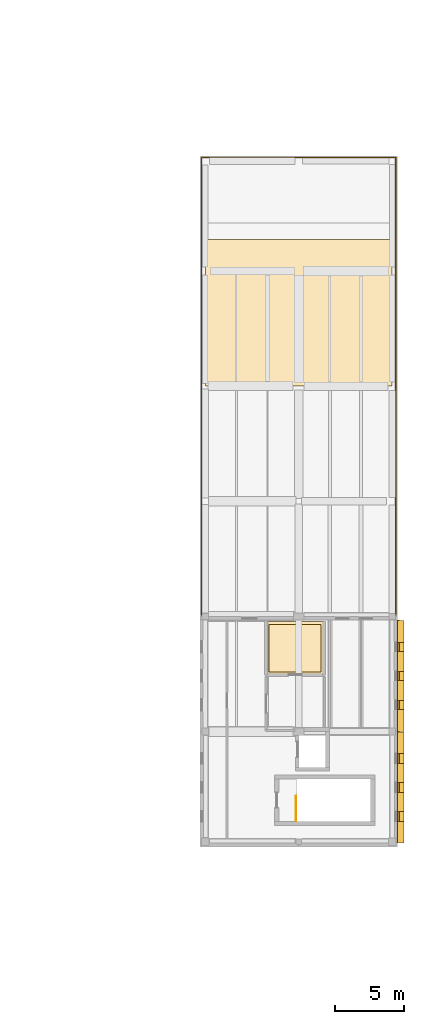
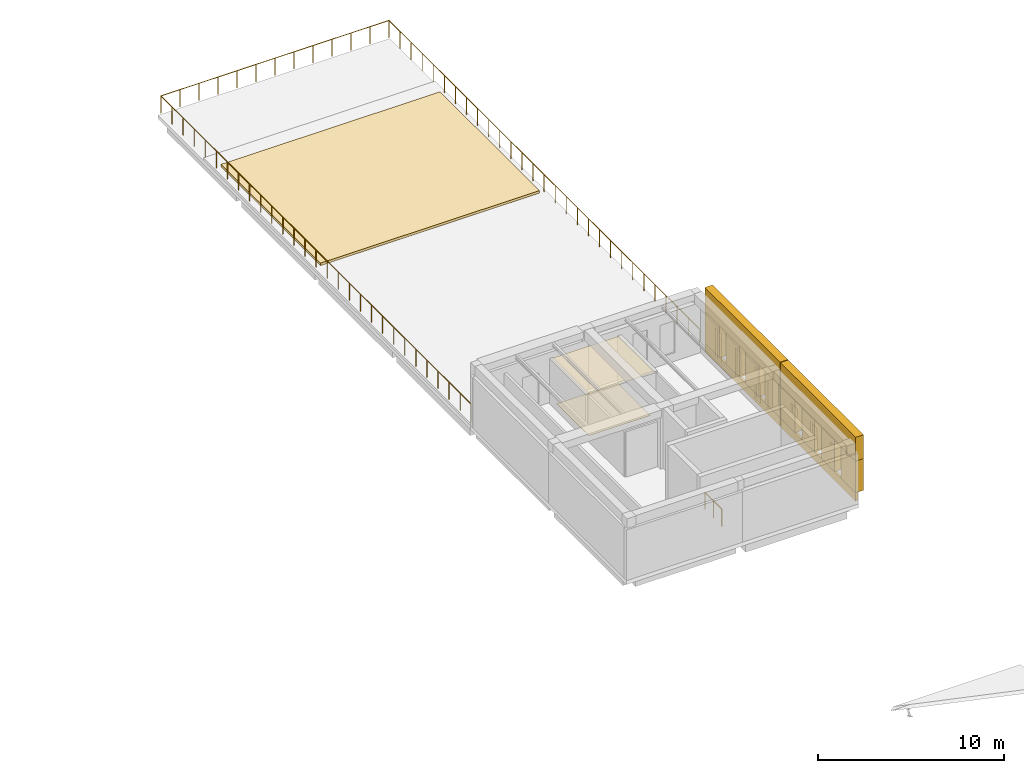
# One storey, part 34 of 34: 15 coverings, 2 railings.
"""IFC4 building model written with IfcOpenShell, lengths in metres."""

from ifc_helpers import new_model, si_unit, direction, frame, origin, origin_2d, place, context, subcontext, project, spatial, polyline, circle, outline, extrude, material, layer, layer_set, type_object, element, save


model = new_model("IFC4")

# Units and contexts
model_context = context("Model", 3, precision=1e-05, world=origin(), true_north=direction((0.0, 1.0)))
body_context = subcontext(model_context, "Body", "Model", "MODEL_VIEW")
ifc_project = project(units=[si_unit("LENGTHUNIT", "METRE"), si_unit("AREAUNIT", "SQUARE_METRE"), si_unit("VOLUMEUNIT", "CUBIC_METRE"), si_unit("PLANEANGLEUNIT", "RADIAN"), si_unit("MASSUNIT", "GRAM", prefix="KILO")], contexts=[model_context])

# Site, building, storey
site_placement = place(None, origin())
site = spatial("IfcSite", under=ifc_project, at=site_placement, CompositionType="ELEMENT")
building_placement = place(site_placement, origin())
building = spatial("IfcBuilding", under=site, at=building_placement, Name="Vardoun Plaza Health Centre", CompositionType="ELEMENT")
storey_placement = place(building_placement, frame((0.0, 0.0, 12.89990234375)))
storey = spatial("IfcBuildingStorey", under=building, at=storey_placement, Name="L03", CompositionType="ELEMENT", Elevation=12.89990234375)

# Coverings
ifc_material_1 = material(Name="Hygienic Acoustic Mineral-Fibre Ceiling", Category="concrete")
ifc_layer_1 = layer(ifc_material_1, 0.02490234375)
ifc_layer_set_1 = layer_set([ifc_layer_1], Name="Hygienic Acoustic Mineral-Fibre Ceiling")
covering_type_1 = type_object("IfcCoveringType", Name="CL-01", PredefinedType="CEILING", material=ifc_layer_set_1)
covering_1_placement = place(storey_placement, frame((0.0, 0.0, 2.91015625)))
element("IfcCovering", 1, at=covering_1_placement, inside=storey, type_object=covering_type_1, Name="Accessible WC L03-V6 Acoustic Ceiling", PredefinedType="CEILING", context=body_context, shape_type="SweptSolid", body=[
    extrude(outline(polyline([(159.949951171875, 52.739990234375), (159.949951171875, 48.85498046875), (155.72998046875, 48.85498046875), (155.72998046875, 52.739990234375), (159.949951171875, 52.739990234375)])), origin(), (0.0, 0.0, 1.0), 0.02490234375),
])
ifc_material_2 = material(Name="Pale Limestone Concrete C35/45", Category="masonry")
ifc_layer_2 = layer(ifc_material_2, 0.080078125)
ifc_layer_set_2 = layer_set([ifc_layer_2], Name="Pale Limestone Concrete C35/45")
covering_type_2 = type_object("IfcCoveringType", Name="CL-EXT1", PredefinedType="CLADDING", material=ifc_layer_set_2)
covering_2_placement = place(storey_placement, origin())
element("IfcCovering", 2, at=covering_2_placement, inside=storey, type_object=covering_type_2, Name="V6 L03 Pale Concrete Sill Band 1381", PredefinedType="CLADDING", context=body_context, shape_type="SweptSolid", body=[
    extrude(outline(polyline([(165.300048828125, 52.81494140625), (165.300048828125, 44.719970703125), (165.43994140625, 44.719970703125), (165.43994140625, 52.81494140625), (165.300048828125, 52.81494140625)])), origin(), (0.0, 0.0, 1.0), 0.550048828125),
])
covering_3_placement = place(storey_placement, frame((0.0, 0.0, 2.630126953125)))
element("IfcCovering", 3, at=covering_3_placement, inside=storey, type_object=covering_type_2, Name="V6 L03 Sculpted Concrete Eyebrow Hood 1382", PredefinedType="CLADDING", context=body_context, shape_type="SweptSolid", body=[
    extrude(outline(polyline([(165.300048828125, 52.81494140625), (165.300048828125, 44.719970703125), (165.780029296875, 44.719970703125), (165.780029296875, 52.81494140625), (165.300048828125, 52.81494140625)])), origin(), (0.0, 0.0, 1.0), 1.570068359375),
])
covering_4_placement = place(storey_placement, frame((0.0, 0.0, 0.550048828125)))
element("IfcCovering", 4, at=covering_4_placement, inside=storey, type_object=covering_type_2, Name="V6 L03 Deep-Punched Slot Concrete Reveal Pier 1383", PredefinedType="CLADDING", context=body_context, shape_type="SweptSolid", body=[
    extrude(outline(polyline([(165.300048828125, 52.81494140625), (165.300048828125, 51.212646484375), (165.780029296875, 51.212646484375), (165.780029296875, 52.81494140625), (165.300048828125, 52.81494140625)])), origin(), (0.0, 0.0, 1.0), 2.080078125),
])
covering_5_placement = place(storey_placement, frame((0.0, 0.0, 0.550048828125)))
element("IfcCovering", 5, at=covering_5_placement, inside=storey, type_object=covering_type_2, Name="V6 L03 Deep-Punched Slot Concrete Reveal Pier 1384", PredefinedType="CLADDING", context=body_context, shape_type="SweptSolid", body=[
    extrude(outline(polyline([(165.300048828125, 50.552490234375), (165.300048828125, 49.097412109375), (165.780029296875, 49.097412109375), (165.780029296875, 50.552490234375), (165.300048828125, 50.552490234375)])), origin(), (0.0, 0.0, 1.0), 2.080078125),
])
covering_6_placement = place(storey_placement, frame((0.0, 0.0, 0.550048828125)))
element("IfcCovering", 6, at=covering_6_placement, inside=storey, type_object=covering_type_2, Name="V6 L03 Deep-Punched Slot Concrete Reveal Pier 1385", PredefinedType="CLADDING", context=body_context, shape_type="SweptSolid", body=[
    extrude(outline(polyline([(165.300048828125, 48.4375), (165.300048828125, 46.982421875), (165.780029296875, 46.982421875), (165.780029296875, 48.4375), (165.300048828125, 48.4375)])), origin(), (0.0, 0.0, 1.0), 2.080078125),
])
covering_7_placement = place(storey_placement, frame((0.0, 0.0, 0.550048828125)))
element("IfcCovering", 7, at=covering_7_placement, inside=storey, type_object=covering_type_2, Name="V6 L03 Deep-Punched Slot Concrete Reveal Pier 1386", PredefinedType="CLADDING", context=body_context, shape_type="SweptSolid", body=[
    extrude(outline(polyline([(165.300048828125, 46.322509765625), (165.300048828125, 44.719970703125), (165.780029296875, 44.719970703125), (165.780029296875, 46.322509765625), (165.300048828125, 46.322509765625)])), origin(), (0.0, 0.0, 1.0), 2.080078125),
])
covering_8_placement = place(storey_placement, origin())
element("IfcCovering", 8, at=covering_8_placement, inside=storey, type_object=covering_type_2, Name="V6 L03 Pale Concrete Sill Band 1387", PredefinedType="CLADDING", context=body_context, shape_type="SweptSolid", body=[
    extrude(outline(polyline([(165.300048828125, 44.679931640625), (165.300048828125, 36.5849609375), (165.43994140625, 36.5849609375), (165.43994140625, 44.679931640625), (165.300048828125, 44.679931640625)])), origin(), (0.0, 0.0, 1.0), 0.550048828125),
])
covering_9_placement = place(storey_placement, frame((0.0, 0.0, 2.630126953125)))
element("IfcCovering", 9, at=covering_9_placement, inside=storey, type_object=covering_type_2, Name="V6 L03 Sculpted Concrete Eyebrow Hood 1388", PredefinedType="CLADDING", context=body_context, shape_type="SweptSolid", body=[
    extrude(outline(polyline([(165.300048828125, 44.679931640625), (165.300048828125, 36.5849609375), (165.780029296875, 36.5849609375), (165.780029296875, 44.679931640625), (165.300048828125, 44.679931640625)])), origin(), (0.0, 0.0, 1.0), 1.570068359375),
])
covering_10_placement = place(storey_placement, frame((0.0, 0.0, 0.550048828125)))
element("IfcCovering", 10, at=covering_10_placement, inside=storey, type_object=covering_type_2, Name="V6 L03 Deep-Punched Slot Concrete Reveal Pier 1389", PredefinedType="CLADDING", context=body_context, shape_type="SweptSolid", body=[
    extrude(outline(polyline([(165.300048828125, 44.679931640625), (165.300048828125, 43.107666015625), (165.780029296875, 43.107666015625), (165.780029296875, 44.679931640625), (165.300048828125, 44.679931640625)])), origin(), (0.0, 0.0, 1.0), 2.080078125),
])
covering_11_placement = place(storey_placement, frame((0.0, 0.0, 0.550048828125)))
element("IfcCovering", 11, at=covering_11_placement, inside=storey, type_object=covering_type_2, Name="V6 L03 Deep-Punched Slot Concrete Reveal Pier 1390", PredefinedType="CLADDING", context=body_context, shape_type="SweptSolid", body=[
    extrude(outline(polyline([(165.300048828125, 42.3876953125), (165.300048828125, 40.992431640625), (165.780029296875, 40.992431640625), (165.780029296875, 42.3876953125), (165.300048828125, 42.3876953125)])), origin(), (0.0, 0.0, 1.0), 2.080078125),
])
covering_12_placement = place(storey_placement, frame((0.0, 0.0, 0.550048828125)))
element("IfcCovering", 12, at=covering_12_placement, inside=storey, type_object=covering_type_2, Name="V6 L03 Deep-Punched Slot Concrete Reveal Pier 1391", PredefinedType="CLADDING", context=body_context, shape_type="SweptSolid", body=[
    extrude(outline(polyline([(165.300048828125, 40.2724609375), (165.300048828125, 38.87744140625), (165.780029296875, 38.87744140625), (165.780029296875, 40.2724609375), (165.300048828125, 40.2724609375)])), origin(), (0.0, 0.0, 1.0), 2.080078125),
])
covering_13_placement = place(storey_placement, frame((0.0, 0.0, 0.550048828125)))
element("IfcCovering", 13, at=covering_13_placement, inside=storey, type_object=covering_type_2, Name="V6 L03 Deep-Punched Slot Concrete Reveal Pier 1392", PredefinedType="CLADDING", context=body_context, shape_type="SweptSolid", body=[
    extrude(outline(polyline([(165.300048828125, 38.157470703125), (165.300048828125, 36.5849609375), (165.780029296875, 36.5849609375), (165.780029296875, 38.157470703125), (165.300048828125, 38.157470703125)])), origin(), (0.0, 0.0, 1.0), 2.080078125),
])
ifc_material_3 = material(Name="Seamless Conductive Clinical Vinyl Flooring", Category="concrete")
ifc_layer_3 = layer(ifc_material_3, 0.014892578125)
ifc_layer_set_3 = layer_set([ifc_layer_3], Name="Seamless Conductive Clinical Vinyl Flooring")
covering_type_3 = type_object("IfcCoveringType", Name="FL-01", PredefinedType="FLOORING", material=ifc_layer_set_3)
covering_14_placement = place(storey_placement, origin())
element("IfcCovering", 14, at=covering_14_placement, inside=storey, type_object=covering_type_3, Name="Accessible WC L03-V6 Floor Finish", PredefinedType="FLOORING", context=body_context, shape_type="SweptSolid", body=[
    extrude(outline(polyline([(159.739990234375, 52.530029296875), (159.739990234375, 49.06494140625), (155.93994140625, 49.06494140625), (155.93994140625, 52.530029296875), (159.739990234375, 52.530029296875)])), origin(), (0.0, 0.0, 1.0), 0.01513671875),
])
ifc_material_4 = material(Name="Planted Therapy Garden Substrate", Category="wood")
ifc_layer_4 = layer(ifc_material_4, 0.1650390625)
ifc_layer_set_4 = layer_set([ifc_layer_4], Name="Planted Therapy Garden Substrate")
covering_type_4 = type_object("IfcCoveringType", Name="CV-G2", PredefinedType="ROOFING", material=ifc_layer_set_4)
covering_15_placement = place(storey_placement, frame((0.0, 0.0, 0.170166015625)))
element("IfcCovering", 15, at=covering_15_placement, inside=storey, type_object=covering_type_4, Name="V6 Therapy Roof-Garden Planting Bed", PredefinedType="ROOFING", context=body_context, shape_type="SweptSolid", body=[
    extrude(outline(polyline([(151.300048828125, 69.89990234375), (164.89990234375, 69.89990234375), (164.89990234375, 80.60009765625), (151.300048828125, 80.60009765625), (151.300048828125, 69.89990234375)])), origin(), (0.0, 0.0, 1.0), 0.1650390625),
])

# Railings
ifc_material_5 = material(Name="Painted Steel S275JR Stair-Well Guardrail", Category="steel")
railing_type_1 = type_object("IfcRailingType", Name="GR-04", PredefinedType="GUARDRAIL", material=ifc_material_5)
railing_1_placement = place(storey_placement, frame((157.909912109375, 38.179931640625, 0.0)))
element("IfcRailing", 16, at=railing_1_placement, inside=storey, type_object=railing_type_1, Name="Stair ST-C10-L02 Upper Landing Well Guard", PredefinedType="GUARDRAIL", context=body_context, shape_type="SweptSolid", body=[
    extrude(circle(Radius=0.02392578125, at=origin_2d()), frame((0.0, 0.0, 1.09619140625), z_axis=(0.0, 1.0, 0.0), x_axis=(-1.0, 0.0, 0.0)), (0.0, 0.0, 1.0), 1.815185546875),
    extrude(circle(Radius=0.02099609375, at=origin_2d()), origin(), (0.0, 0.0, 1.0), 1.072021484375),
    extrude(circle(Radius=0.02099609375, at=origin_2d()), frame((0.0, 0.90771484375, 0.0)), (0.0, 0.0, 1.0), 1.072021484375),
    extrude(circle(Radius=0.02099609375, at=origin_2d()), frame((0.0, 1.815185546875, 0.0)), (0.0, 0.0, 1.0), 1.072021484375),
])
ifc_material_6 = material(Name="Galvanised Steel S275JR and Laminated Glass", Category="steel")
railing_type_2 = type_object("IfcRailingType", Name="GR-01", PredefinedType="BALUSTRADE", material=ifc_material_6)
railing_2_placement = place(storey_placement, frame((151.02001953125, 53.199951171875, 0.170166015625)))
element("IfcRailing", 17, at=railing_2_placement, inside=storey, type_object=railing_type_2, Name="V6 Therapy Roof-Garden Perimeter Balustrade", PredefinedType="BALUSTRADE", context=body_context, shape_type="SweptSolid", body=[
    extrude(circle(Radius=0.02392578125, at=origin_2d()), frame((0.0, 0.0, 1.1259765625), z_axis=(0.0, 1.0, 0.0), x_axis=(-1.0, 0.0, 0.0)), (0.0, 0.0, 1.0), 33.380126953125),
    extrude(circle(Radius=0.02392578125, at=origin_2d()), frame((0.0, 33.380126953125, 1.1259765625), z_axis=(1.0, 0.0, 0.0), x_axis=(0.0, 1.0, 0.0)), (0.0, 0.0, 1.0), 14.159912109375),
    extrude(circle(Radius=0.02392578125, at=origin_2d()), frame((14.159912109375, 33.380126953125, 1.1259765625), z_axis=(0.0, -1.0, 0.0), x_axis=(1.0, 0.0, 0.0)), (0.0, 0.0, 1.0), 33.380126953125),
    extrude(circle(Radius=0.02099609375, at=origin_2d()), origin(), (0.0, 0.0, 1.0), 1.101806640625),
    extrude(circle(Radius=0.02099609375, at=origin_2d()), frame((0.0, 1.192138671875, 0.0)), (0.0, 0.0, 1.0), 1.101806640625),
    extrude(circle(Radius=0.02099609375, at=origin_2d()), frame((0.0, 2.38427734375, 0.0)), (0.0, 0.0, 1.0), 1.101806640625),
    extrude(circle(Radius=0.02099609375, at=origin_2d()), frame((0.0, 3.576416015625, 0.0)), (0.0, 0.0, 1.0), 1.101806640625),
    extrude(circle(Radius=0.02099609375, at=origin_2d()), frame((0.0, 4.7685546875, 0.0)), (0.0, 0.0, 1.0), 1.101806640625),
    extrude(circle(Radius=0.02099609375, at=origin_2d()), frame((0.0, 5.960693359375, 0.0)), (0.0, 0.0, 1.0), 1.101806640625),
    extrude(circle(Radius=0.02099609375, at=origin_2d()), frame((0.0, 7.15283203125, 0.0)), (0.0, 0.0, 1.0), 1.101806640625),
    extrude(circle(Radius=0.02099609375, at=origin_2d()), frame((0.0, 8.344970703125, 0.0)), (0.0, 0.0, 1.0), 1.101806640625),
    extrude(circle(Radius=0.02099609375, at=origin_2d()), frame((0.0, 9.537109375, 0.0)), (0.0, 0.0, 1.0), 1.101806640625),
    extrude(circle(Radius=0.02099609375, at=origin_2d()), frame((0.0, 10.729248046875, 0.0)), (0.0, 0.0, 1.0), 1.101806640625),
    extrude(circle(Radius=0.02099609375, at=origin_2d()), frame((0.0, 11.92138671875, 0.0)), (0.0, 0.0, 1.0), 1.101806640625),
    extrude(circle(Radius=0.02099609375, at=origin_2d()), frame((0.0, 13.113525390625, 0.0)), (0.0, 0.0, 1.0), 1.101806640625),
    extrude(circle(Radius=0.02099609375, at=origin_2d()), frame((0.0, 14.3056640625, 0.0)), (0.0, 0.0, 1.0), 1.101806640625),
    extrude(circle(Radius=0.02099609375, at=origin_2d()), frame((0.0, 15.497802734375, 0.0)), (0.0, 0.0, 1.0), 1.101806640625),
    extrude(circle(Radius=0.02099609375, at=origin_2d()), frame((0.0, 16.68994140625, 0.0)), (0.0, 0.0, 1.0), 1.101806640625),
    extrude(circle(Radius=0.02099609375, at=origin_2d()), frame((0.0, 17.88232421875, 0.0)), (0.0, 0.0, 1.0), 1.101806640625),
    extrude(circle(Radius=0.02099609375, at=origin_2d()), frame((0.0, 19.074462890625, 0.0)), (0.0, 0.0, 1.0), 1.101806640625),
    extrude(circle(Radius=0.02099609375, at=origin_2d()), frame((0.0, 20.2666015625, 0.0)), (0.0, 0.0, 1.0), 1.101806640625),
    extrude(circle(Radius=0.02099609375, at=origin_2d()), frame((0.0, 21.458740234375, 0.0)), (0.0, 0.0, 1.0), 1.101806640625),
    extrude(circle(Radius=0.02099609375, at=origin_2d()), frame((0.0, 22.65087890625, 0.0)), (0.0, 0.0, 1.0), 1.101806640625),
    extrude(circle(Radius=0.02099609375, at=origin_2d()), frame((0.0, 23.843017578125, 0.0)), (0.0, 0.0, 1.0), 1.101806640625),
    extrude(circle(Radius=0.02099609375, at=origin_2d()), frame((0.0, 25.03515625, 0.0)), (0.0, 0.0, 1.0), 1.101806640625),
    extrude(circle(Radius=0.02099609375, at=origin_2d()), frame((0.0, 26.227294921875, 0.0)), (0.0, 0.0, 1.0), 1.101806640625),
    extrude(circle(Radius=0.02099609375, at=origin_2d()), frame((0.0, 27.41943359375, 0.0)), (0.0, 0.0, 1.0), 1.101806640625),
    extrude(circle(Radius=0.02099609375, at=origin_2d()), frame((0.0, 28.611572265625, 0.0)), (0.0, 0.0, 1.0), 1.101806640625),
    extrude(circle(Radius=0.02099609375, at=origin_2d()), frame((0.0, 29.8037109375, 0.0)), (0.0, 0.0, 1.0), 1.101806640625),
    extrude(circle(Radius=0.02099609375, at=origin_2d()), frame((0.0, 30.995849609375, 0.0)), (0.0, 0.0, 1.0), 1.101806640625),
    extrude(circle(Radius=0.02099609375, at=origin_2d()), frame((0.0, 32.18798828125, 0.0)), (0.0, 0.0, 1.0), 1.101806640625),
    extrude(circle(Radius=0.02099609375, at=origin_2d()), frame((0.0, 33.380126953125, 0.0)), (0.0, 0.0, 1.0), 1.101806640625),
    extrude(circle(Radius=0.02099609375, at=origin_2d()), frame((1.179931640625, 33.380126953125, 0.0)), (0.0, 0.0, 1.0), 1.101806640625),
    extrude(circle(Radius=0.02099609375, at=origin_2d()), frame((2.35986328125, 33.380126953125, 0.0)), (0.0, 0.0, 1.0), 1.101806640625),
    extrude(circle(Radius=0.02099609375, at=origin_2d()), frame((3.5400390625, 33.380126953125, 0.0)), (0.0, 0.0, 1.0), 1.101806640625),
    extrude(circle(Radius=0.02099609375, at=origin_2d()), frame((4.719970703125, 33.380126953125, 0.0)), (0.0, 0.0, 1.0), 1.101806640625),
    extrude(circle(Radius=0.02099609375, at=origin_2d()), frame((5.89990234375, 33.380126953125, 0.0)), (0.0, 0.0, 1.0), 1.101806640625),
    extrude(circle(Radius=0.02099609375, at=origin_2d()), frame((7.080078125, 33.380126953125, 0.0)), (0.0, 0.0, 1.0), 1.101806640625),
    extrude(circle(Radius=0.02099609375, at=origin_2d()), frame((8.260009765625, 33.380126953125, 0.0)), (0.0, 0.0, 1.0), 1.101806640625),
    extrude(circle(Radius=0.02099609375, at=origin_2d()), frame((9.43994140625, 33.380126953125, 0.0)), (0.0, 0.0, 1.0), 1.101806640625),
    extrude(circle(Radius=0.02099609375, at=origin_2d()), frame((10.619873046875, 33.380126953125, 0.0)), (0.0, 0.0, 1.0), 1.101806640625),
    extrude(circle(Radius=0.02099609375, at=origin_2d()), frame((11.7998046875, 33.380126953125, 0.0)), (0.0, 0.0, 1.0), 1.101806640625),
    extrude(circle(Radius=0.02099609375, at=origin_2d()), frame((12.97998046875, 33.380126953125, 0.0)), (0.0, 0.0, 1.0), 1.101806640625),
    extrude(circle(Radius=0.02099609375, at=origin_2d()), frame((14.159912109375, 33.380126953125, 0.0)), (0.0, 0.0, 1.0), 1.101806640625),
    extrude(circle(Radius=0.02099609375, at=origin_2d()), frame((14.159912109375, 32.18798828125, 0.0)), (0.0, 0.0, 1.0), 1.101806640625),
    extrude(circle(Radius=0.02099609375, at=origin_2d()), frame((14.159912109375, 30.995849609375, 0.0)), (0.0, 0.0, 1.0), 1.101806640625),
    extrude(circle(Radius=0.02099609375, at=origin_2d()), frame((14.159912109375, 29.8037109375, 0.0)), (0.0, 0.0, 1.0), 1.101806640625),
    extrude(circle(Radius=0.02099609375, at=origin_2d()), frame((14.159912109375, 28.611572265625, 0.0)), (0.0, 0.0, 1.0), 1.101806640625),
    extrude(circle(Radius=0.02099609375, at=origin_2d()), frame((14.159912109375, 27.41943359375, 0.0)), (0.0, 0.0, 1.0), 1.101806640625),
    extrude(circle(Radius=0.02099609375, at=origin_2d()), frame((14.159912109375, 26.227294921875, 0.0)), (0.0, 0.0, 1.0), 1.101806640625),
    extrude(circle(Radius=0.02099609375, at=origin_2d()), frame((14.159912109375, 25.03515625, 0.0)), (0.0, 0.0, 1.0), 1.101806640625),
    extrude(circle(Radius=0.02099609375, at=origin_2d()), frame((14.159912109375, 23.843017578125, 0.0)), (0.0, 0.0, 1.0), 1.101806640625),
    extrude(circle(Radius=0.02099609375, at=origin_2d()), frame((14.159912109375, 22.65087890625, 0.0)), (0.0, 0.0, 1.0), 1.101806640625),
    extrude(circle(Radius=0.02099609375, at=origin_2d()), frame((14.159912109375, 21.458740234375, 0.0)), (0.0, 0.0, 1.0), 1.101806640625),
    extrude(circle(Radius=0.02099609375, at=origin_2d()), frame((14.159912109375, 20.2666015625, 0.0)), (0.0, 0.0, 1.0), 1.101806640625),
    extrude(circle(Radius=0.02099609375, at=origin_2d()), frame((14.159912109375, 19.074462890625, 0.0)), (0.0, 0.0, 1.0), 1.101806640625),
    extrude(circle(Radius=0.02099609375, at=origin_2d()), frame((14.159912109375, 17.88232421875, 0.0)), (0.0, 0.0, 1.0), 1.101806640625),
    extrude(circle(Radius=0.02099609375, at=origin_2d()), frame((14.159912109375, 16.68994140625, 0.0)), (0.0, 0.0, 1.0), 1.101806640625),
    extrude(circle(Radius=0.02099609375, at=origin_2d()), frame((14.159912109375, 15.497802734375, 0.0)), (0.0, 0.0, 1.0), 1.101806640625),
    extrude(circle(Radius=0.02099609375, at=origin_2d()), frame((14.159912109375, 14.3056640625, 0.0)), (0.0, 0.0, 1.0), 1.101806640625),
    extrude(circle(Radius=0.02099609375, at=origin_2d()), frame((14.159912109375, 13.113525390625, 0.0)), (0.0, 0.0, 1.0), 1.101806640625),
    extrude(circle(Radius=0.02099609375, at=origin_2d()), frame((14.159912109375, 11.92138671875, 0.0)), (0.0, 0.0, 1.0), 1.101806640625),
    extrude(circle(Radius=0.02099609375, at=origin_2d()), frame((14.159912109375, 10.729248046875, 0.0)), (0.0, 0.0, 1.0), 1.101806640625),
    extrude(circle(Radius=0.02099609375, at=origin_2d()), frame((14.159912109375, 9.537109375, 0.0)), (0.0, 0.0, 1.0), 1.101806640625),
    extrude(circle(Radius=0.02099609375, at=origin_2d()), frame((14.159912109375, 8.344970703125, 0.0)), (0.0, 0.0, 1.0), 1.101806640625),
    extrude(circle(Radius=0.02099609375, at=origin_2d()), frame((14.159912109375, 7.15283203125, 0.0)), (0.0, 0.0, 1.0), 1.101806640625),
    extrude(circle(Radius=0.02099609375, at=origin_2d()), frame((14.159912109375, 5.960693359375, 0.0)), (0.0, 0.0, 1.0), 1.101806640625),
    extrude(circle(Radius=0.02099609375, at=origin_2d()), frame((14.159912109375, 4.7685546875, 0.0)), (0.0, 0.0, 1.0), 1.101806640625),
    extrude(circle(Radius=0.02099609375, at=origin_2d()), frame((14.159912109375, 3.576416015625, 0.0)), (0.0, 0.0, 1.0), 1.101806640625),
    extrude(circle(Radius=0.02099609375, at=origin_2d()), frame((14.159912109375, 2.38427734375, 0.0)), (0.0, 0.0, 1.0), 1.101806640625),
    extrude(circle(Radius=0.02099609375, at=origin_2d()), frame((14.159912109375, 1.192138671875, 0.0)), (0.0, 0.0, 1.0), 1.101806640625),
    extrude(circle(Radius=0.02099609375, at=origin_2d()), frame((14.159912109375, 0.0, 0.0)), (0.0, 0.0, 1.0), 1.101806640625),
])

save(model, "model.ifc")
